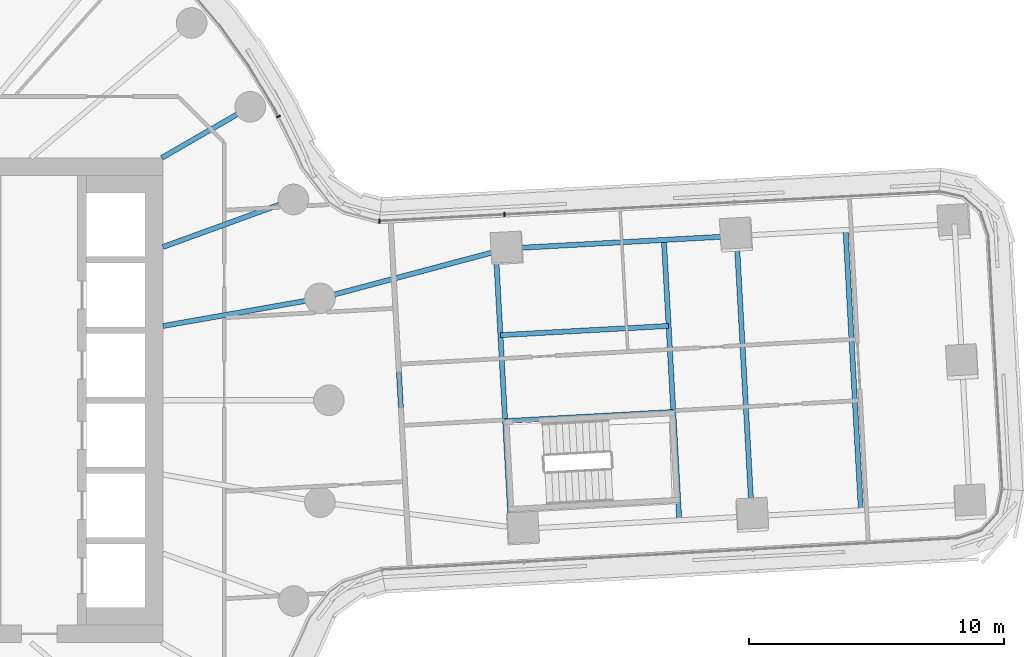
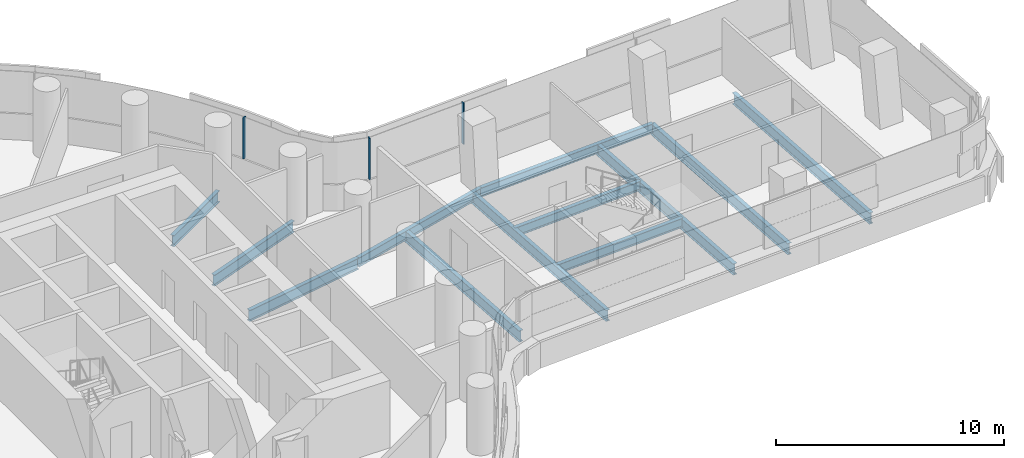
# One storey, part 11 of 31: 12 beams, 3 members, 2 elements without a shape of their own.
"""IFC4 building model written with IfcOpenShell, lengths in metres."""

from ifc_helpers import new_model, si_unit, direction, frame, origin, origin_2d, place, context, subcontext, project, spatial, rectangle, i_section, extrude, material, layer, layer_set, material_profile, profile_set, type_object, element, aggregate, save


model = new_model("IFC4")

# Units and contexts
model_context = context("Model", 3, precision=1e-05, world=origin(), true_north=direction((0.0, 1.0)))
body_context = subcontext(model_context, "Body", "Model", "MODEL_VIEW")
ifc_project = project(units=[si_unit("LENGTHUNIT", "METRE"), si_unit("AREAUNIT", "SQUARE_METRE"), si_unit("VOLUMEUNIT", "CUBIC_METRE"), si_unit("PLANEANGLEUNIT", "RADIAN"), si_unit("MASSUNIT", "GRAM", prefix="KILO")], contexts=[model_context])

# Site, building, storey
site_placement = place(None, origin())
site = spatial("IfcSite", under=ifc_project, at=site_placement, CompositionType="ELEMENT")
building_placement = place(site_placement, origin())
building = spatial("IfcBuilding", under=site, at=building_placement, Name="Tamarind Cross Interchange Tower", CompositionType="ELEMENT")
storey_placement = place(building_placement, frame((0.0, 0.0, 45.25)))
storey = spatial("IfcBuildingStorey", under=building, at=storey_placement, Name="L09", CompositionType="ELEMENT", Elevation=45.25)

# Beams
ifc_material_1 = material(Name="Steel Q355B", Category="steel")
ifc_material_profile_1 = material_profile(ifc_material_1, i_section(OverallWidth=0.198974609375, OverallDepth=0.49609375, WebThickness=0.009033203125, FlangeThickness=0.013916015625, FilletRadius=0.012939453125, at=origin_2d()), Name="HN 496x199x9x14")
ifc_profile_set_1 = profile_set([ifc_material_profile_1], Name="Steel Q355B")
beam_type_1 = type_object("IfcBeamType", Name="Composite beam HN 496x199x9x14 Q355B", PredefinedType="BEAM", material=ifc_profile_set_1)
beam_1_placement = place(storey_placement, frame((38.973388671875, 6.437744140625, -0.387939453125), z_axis=(-0.998503532434, -0.054687253698, 0.0), x_axis=(0.054687253698, -0.998503532434, 0.0)))
element("IfcBeam", 1, at=beam_1_placement, inside=storey, type_object=beam_type_1, Name="Beam E-edgeep3", PredefinedType="BEAM", context=body_context, shape_type="SweptSolid", body=[
    extrude(i_section(OverallWidth=0.198974609375, OverallDepth=0.49609375, WebThickness=0.009033203125, FlangeThickness=0.013916015625, FilletRadius=0.012939453125, at=origin_2d()), origin(), (0.0, 0.0, 1.0), 9.0),
])
beam_2_placement = place(storey_placement, frame((29.98681640625, 5.945556640625, -0.387939453125), z_axis=(-0.966387431755, -0.25709012378, 0.0), x_axis=(0.25709012378, -0.966387431755, 0.0)))
element("IfcBeam", 2, at=beam_2_placement, inside=storey, type_object=beam_type_1, Name="Beam E-linkep", PredefinedType="BEAM", context=body_context, shape_type="SweptSolid", body=[
    extrude(i_section(OverallWidth=0.198974609375, OverallDepth=0.49609375, WebThickness=0.009033203125, FlangeThickness=0.013916015625, FilletRadius=0.012939453125, at=origin_2d()), origin(), (0.0, 0.0, 1.0), 7.59130859375),
])
beam_3_placement = place(storey_placement, frame((29.906494140625, -0.81884765625, -0.387939453125), z_axis=(0.998504421366, 0.054671020774, 0.0), x_axis=(-0.054671020774, 0.998504421366, 0.0)))
element("IfcBeam", 3, at=beam_3_placement, inside=storey, type_object=beam_type_1, Name="Beam E-tr1", PredefinedType="BEAM", context=body_context, shape_type="SweptSolid", body=[
    extrude(i_section(OverallWidth=0.198974609375, OverallDepth=0.49609375, WebThickness=0.009033203125, FlangeThickness=0.013916015625, FilletRadius=0.012939453125, at=origin_2d()), origin(), (0.0, 0.0, 1.0), 6.60009765625),
])
beam_4_placement = place(storey_placement, frame((29.72216796875, 2.551025390625, -0.387939453125), z_axis=(0.9985043108, 0.054673040098, 0.0), x_axis=(-0.054673040098, 0.9985043108, 0.0)))
element("IfcBeam", 4, at=beam_4_placement, inside=storey, type_object=beam_type_1, Name="Beam E-stripp", PredefinedType="BEAM", context=body_context, shape_type="SweptSolid", body=[
    extrude(i_section(OverallWidth=0.198974609375, OverallDepth=0.49609375, WebThickness=0.009033203125, FlangeThickness=0.013916015625, FilletRadius=0.012939453125, at=origin_2d()), origin(), (0.0, 0.0, 1.0), 6.599853515625),
])
ifc_material_profile_2 = material_profile(ifc_material_1, i_section(OverallWidth=0.198974609375, OverallDepth=0.595947265625, WebThickness=0.010009765625, FlangeThickness=0.014892578125, FilletRadius=0.012939453125, at=origin_2d()), Name="HN 596x199x10x15")
ifc_profile_set_2 = profile_set([ifc_material_profile_2], Name="Steel Q355B")
beam_type_2 = type_object("IfcBeamType", Name="Composite beam HN 596x199x10x15 Q355B", PredefinedType="BEAM", material=ifc_profile_set_2)
beam_5_placement = place(storey_placement, frame((22.650634765625, 3.993896484375, -0.43798828125), z_axis=(-0.984809127561, -0.173640382036, 0.0), x_axis=(0.173640382036, -0.984809127561, 0.0)))
element("IfcBeam", 5, at=beam_5_placement, inside=storey, type_object=beam_type_2, Name="Beam HH01", PredefinedType="BEAM", context=body_context, shape_type="SweptSolid", body=[
    extrude(i_section(OverallWidth=0.198974609375, OverallDepth=0.595947265625, WebThickness=0.010009765625, FlangeThickness=0.014892578125, FilletRadius=0.012939453125, at=origin_2d()), origin(), (0.0, 0.0, 1.0), 6.24560546875),
])
beam_6_placement = place(storey_placement, frame((21.613037109375, 7.866455078125, -0.43798828125), z_axis=(-0.939701685589, -0.341995236956, 0.0), x_axis=(0.341995236956, -0.939701685589, 0.0)))
element("IfcBeam", 6, at=beam_6_placement, inside=storey, type_object=beam_type_2, Name="Beam HH02", PredefinedType="BEAM", context=body_context, shape_type="SweptSolid", body=[
    extrude(i_section(OverallWidth=0.198974609375, OverallDepth=0.595947265625, WebThickness=0.010009765625, FlangeThickness=0.014892578125, FilletRadius=0.012939453125, at=origin_2d()), origin(), (0.0, 0.0, 1.0), 5.441162109375),
])
beam_7_placement = place(storey_placement, frame((19.918701171875, 11.5, -0.43798828125), z_axis=(-0.866026010844, -0.49999894854, 0.0), x_axis=(0.49999894854, -0.866026010844, 0.0)))
element("IfcBeam", 7, at=beam_7_placement, inside=storey, type_object=beam_type_2, Name="Beam HH03", PredefinedType="BEAM", context=body_context, shape_type="SweptSolid", body=[
    extrude(i_section(OverallWidth=0.198974609375, OverallDepth=0.595947265625, WebThickness=0.010009765625, FlangeThickness=0.014892578125, FilletRadius=0.012939453125, at=origin_2d()), origin(), (0.0, 0.0, 1.0), 4.0),
])
ifc_material_profile_3 = material_profile(ifc_material_1, i_section(OverallWidth=0.199951171875, OverallDepth=0.60009765625, WebThickness=0.010986328125, FlangeThickness=0.01708984375, FilletRadius=0.012939453125, at=origin_2d()), Name="HN 600x200x11x17")
ifc_profile_set_3 = profile_set([ifc_material_profile_3], Name="Steel Q355B")
beam_type_3 = type_object("IfcBeamType", Name="Composite beam HN 600x200x11x17 Q355B", PredefinedType="BEAM", material=ifc_profile_set_3)
beam_8_placement = place(storey_placement, frame((30.13427734375, -4.978271484375, -0.43994140625), z_axis=(-0.054662839996, 0.998504869254, 0.0), x_axis=(-0.998504869254, -0.054662839996, 0.0)))
element("IfcBeam", 8, at=beam_8_placement, inside=storey, type_object=beam_type_3, Name="Beam E-x298", PredefinedType="BEAM", context=body_context, shape_type="SweptSolid", body=[
    extrude(i_section(OverallWidth=0.199951171875, OverallDepth=0.60009765625, WebThickness=0.010986328125, FlangeThickness=0.01708984375, FilletRadius=0.012939453125, at=origin_2d()), origin(), (0.0, 0.0, 1.0), 10.82177734375),
])
for number, where, z_axis, x_axis, name in (
    (9, (36.72900390625, -4.70166015625, -0.43994140625), (-0.054664856323, 0.998504758869, 0.0), (-0.998504758869, -0.054664856323, 0.0), "Beam E-x364"),
    (10, (39.574951171875, -4.5458984375, -0.43994140625), (-0.05468698438, 0.998503547184, 0.0), (-0.998503547184, -0.05468698438, 0.0), "Beam E-x393"),
):
    element("IfcBeam", number, at=place(storey_placement, frame(where, z_axis=z_axis, x_axis=x_axis)), inside=storey, type_object=beam_type_3, Name=name, PredefinedType="BEAM", context=body_context, shape_type="SweptSolid", body=[
        extrude(i_section(OverallWidth=0.199951171875, OverallDepth=0.60009765625, WebThickness=0.010986328125, FlangeThickness=0.01708984375, FilletRadius=0.012939453125, at=origin_2d()), origin(), (0.0, 0.0, 1.0), 11.0),
    ])
beam_9_placement = place(storey_placement, frame((26.048828125, -4.44091796875, -0.43994140625), z_axis=(-0.054661808522, 0.998504925721, 0.0), x_axis=(-0.998504925721, -0.054661808522, 0.0)))
element("IfcBeam", 11, at=beam_9_placement, inside=storey, type_object=beam_type_3, Name="Beam E-x258", PredefinedType="BEAM", context=body_context, shape_type="SweptSolid", body=[
    extrude(i_section(OverallWidth=0.199951171875, OverallDepth=0.60009765625, WebThickness=0.010986328125, FlangeThickness=0.01708984375, FilletRadius=0.012939453125, at=origin_2d()), origin(), (0.0, 0.0, 1.0), 9.218505859375),
])
beam_10_placement = place(storey_placement, frame((43.84619140625, -4.31201171875, -0.43994140625), z_axis=(-0.05468698438, 0.998503547184, 0.0), x_axis=(-0.998503547184, -0.05468698438, 0.0)))
element("IfcBeam", 12, at=beam_10_placement, inside=storey, type_object=beam_type_3, Name="Beam E-x436", PredefinedType="BEAM", context=body_context, shape_type="SweptSolid", body=[
    extrude(i_section(OverallWidth=0.199951171875, OverallDepth=0.60009765625, WebThickness=0.010986328125, FlangeThickness=0.01708984375, FilletRadius=0.012939453125, at=origin_2d()), origin(), (0.0, 0.0, 1.0), 11.0),
])

# Curtain wall, member
ifc_material_2 = material(Name="Aluminium 6063-T6", Category="aluminium")
ifc_layer = layer(ifc_material_2, 0.159912109375)
ifc_layer_set = layer_set([ifc_layer], Name="Aluminium 6063-T6")
curtain_wall_type = type_object("IfcCurtainWallType", Name="Office curtain wall, 9.0 m bays", PredefinedType="NOTDEFINED", material=ifc_layer_set)
curtain_wall_1_placement = place(storey_placement, origin())
curtain_wall_1 = element("IfcCurtainWall", 13, at=curtain_wall_1_placement, inside=storey, type_object=curtain_wall_type, Name="CWS-L09-09", PredefinedType="NOTDEFINED")
ifc_material_profile_4 = material_profile(ifc_material_2, rectangle(XDim=0.06005859375, YDim=0.159912109375, at=origin_2d()), Name="Mullion CW1")
ifc_profile_set_4 = profile_set([ifc_material_profile_4], Name="Aluminium 6063-T6")
member_type = type_object("IfcMemberType", Name="Mullion CW1", PredefinedType="MULLION", material=ifc_profile_set_4)
member_1_placement = place(storey_placement, frame((29.88330078125, 7.279541015625, 1.39990234375), z_axis=(0.0, 0.0, 1.0), x_axis=(-0.998622085659, -0.052477900426, 0.0)))
member_1 = element("IfcMember", 14, at=member_1_placement, type_object=member_type, Name="CWM-L09-09-02", PredefinedType="MULLION", context=body_context, shape_type="SweptSolid", body=[
    extrude(rectangle(XDim=0.06005859375, YDim=0.159912109375, at=origin_2d()), origin(), (0.0, 0.0, 1.0), 2.210205078125),
])
aggregate(curtain_wall_1, [member_1])

# Curtain wall, members
curtain_wall_2_placement = place(storey_placement, origin())
curtain_wall_2 = element("IfcCurtainWall", 15, at=curtain_wall_2_placement, inside=storey, type_object=curtain_wall_type, Name="CWS-L09-10", PredefinedType="NOTDEFINED")
member_2_placement = place(storey_placement, frame((24.98046875, 7.02197265625, 1.39990234375), z_axis=(0.0, 0.0, 1.0), x_axis=(-0.994691949703, 0.102897644272, 0.0)))
member_2 = element("IfcMember", 16, at=member_2_placement, type_object=member_type, Name="CWM-L09-10-00", PredefinedType="MULLION", context=body_context, shape_type="SweptSolid", body=[
    extrude(rectangle(XDim=0.06005859375, YDim=0.159912109375, at=origin_2d()), origin(), (0.0, 0.0, 1.0), 2.210205078125),
])
member_3_placement = place(storey_placement, frame((21.025390625, 11.118896484375, 1.39990234375), z_axis=(0.0, 0.0, 1.0), x_axis=(-0.443058811505, 0.896492548518, 0.0)))
member_3 = element("IfcMember", 17, at=member_3_placement, type_object=member_type, Name="CWM-L09-10-01", PredefinedType="MULLION", context=body_context, shape_type="SweptSolid", body=[
    extrude(rectangle(XDim=0.06005859375, YDim=0.159912109375, at=origin_2d()), origin(), (0.0, 0.0, 1.0), 2.210205078125),
])
aggregate(curtain_wall_2, [member_2, member_3])

save(model, "model.ifc")
